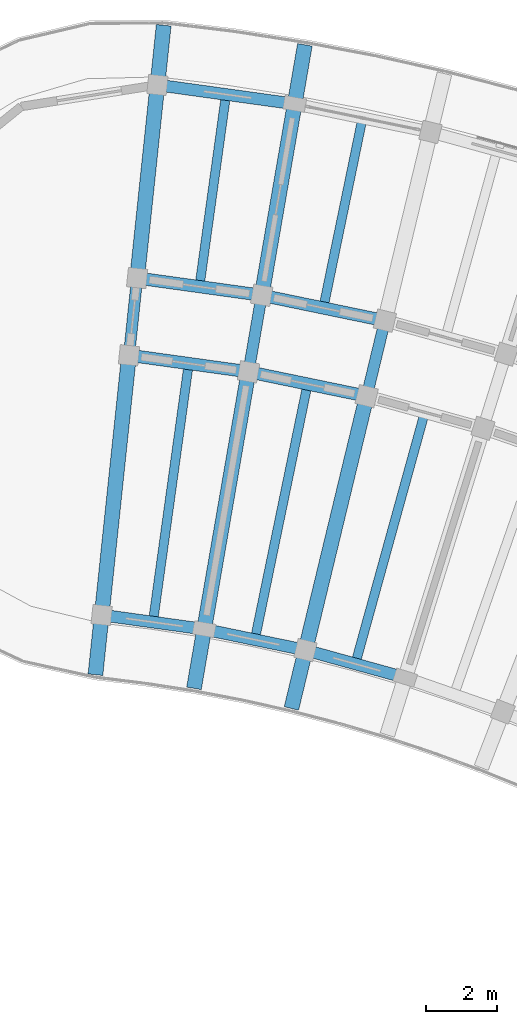
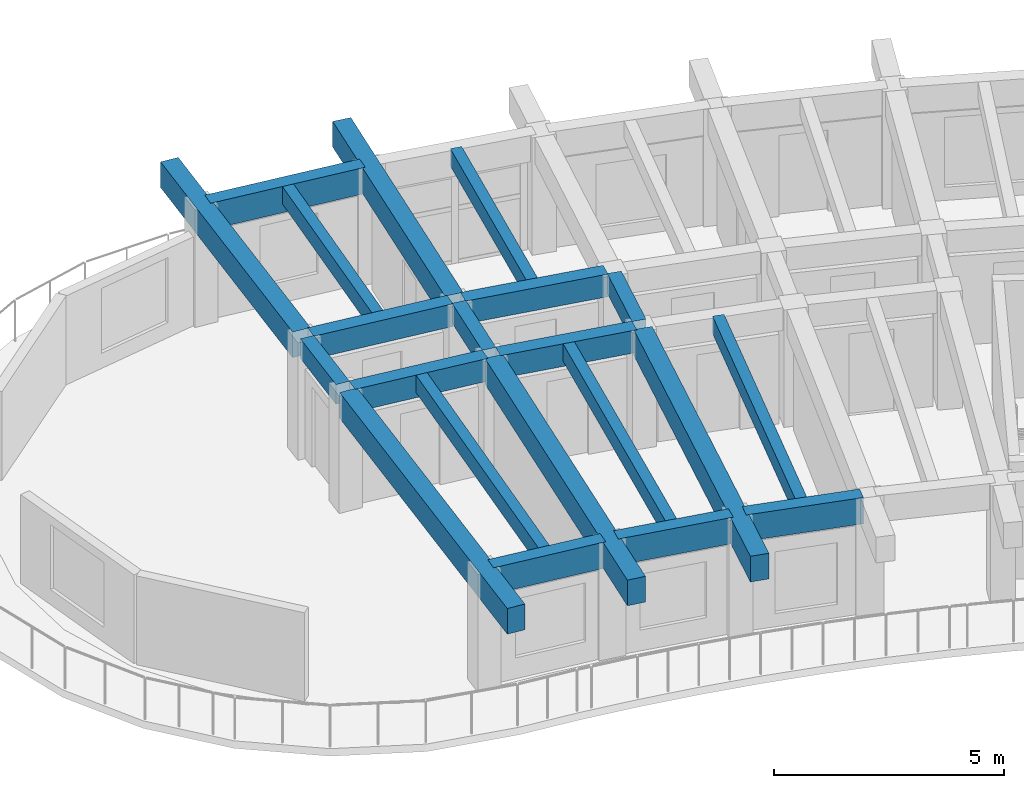
# One storey, part 16 of 81: 21 beams.
"""IFC4 building model written with IfcOpenShell, lengths in metres."""

from ifc_helpers import new_model, si_unit, direction, frame, origin, origin_2d, place, context, subcontext, project, spatial, rectangle, extrude, material, material_profile, profile_set, type_object, element, save


model = new_model("IFC4")

# Units and contexts
model_context = context("Model", 3, precision=1e-05, world=origin(), true_north=direction((0.0, 1.0)))
body_context = subcontext(model_context, "Body", "Model", "MODEL_VIEW")
ifc_project = project(units=[si_unit("LENGTHUNIT", "METRE"), si_unit("AREAUNIT", "SQUARE_METRE"), si_unit("VOLUMEUNIT", "CUBIC_METRE"), si_unit("PLANEANGLEUNIT", "RADIAN"), si_unit("MASSUNIT", "GRAM", prefix="KILO")], contexts=[model_context])

# Site, building, storey
site_placement = place(None, origin())
site = spatial("IfcSite", under=ifc_project, at=site_placement, CompositionType="ELEMENT")
building_placement = place(site_placement, origin())
building = spatial("IfcBuilding", under=site, at=building_placement, Name="Tanwirah Colonnade Gardens", CompositionType="ELEMENT")
storey_placement = place(building_placement, frame((0.0, 0.0, 18.919921875)))
storey = spatial("IfcBuildingStorey", under=building, at=storey_placement, Name="L05", CompositionType="ELEMENT", Elevation=18.919921875)

# Beams
ifc_material_1 = material(Name="Precast concrete C40/50", Category="concrete")
ifc_material_profile_1 = material_profile(ifc_material_1, rectangle(XDim=0.320068359375, YDim=0.52001953125, at=origin_2d()), Name="PC-BM 320x520")
ifc_profile_set_1 = profile_set([ifc_material_profile_1], Name="Precast concrete C40/50")
beam_type_1 = type_object("IfcBeamType", Name="BM-PC320", PredefinedType="BEAM", material=ifc_profile_set_1)
for number, where, z_axis, x_axis, name in (
    (1, (133.188232421875, 110.75146484375, 2.85009765625), (0.234364199778, 0.972148868159, 0.0), (-0.972148868159, 0.234364199778, 0.0), "Block B L05 Corridor Tie Beam 16"),
    (2, (129.8310546875, 111.444580078125, 2.85009765625), (0.169855285462, 0.985469016256, 0.0), (-0.985469016256, 0.169855285462, 0.0), "Block B L05 Corridor Tie Beam 17"),
    (3, (126.435546875, 111.9150390625, 2.85009765625), (0.104464057197, 0.994528662611, 0.0), (-0.994528662611, 0.104464057197, 0.0), "Block B L05 Corridor Tie Beam 18"),
):
    element("IfcBeam", number, at=place(storey_placement, frame(where, z_axis=z_axis, x_axis=x_axis)), inside=storey, type_object=beam_type_1, Name=name, PredefinedType="BEAM", context=body_context, shape_type="SweptSolid", body=[
        extrude(rectangle(XDim=0.320068359375, YDim=0.52001953125, at=origin_2d()), origin(), (0.0, 0.0, 1.0), 1.900146484375),
    ])
ifc_material_profile_2 = material_profile(ifc_material_1, rectangle(XDim=0.35009765625, YDim=0.60009765625, at=origin_2d()), Name="PC-BM 350x600")
ifc_profile_set_2 = profile_set([ifc_material_profile_2], Name="Precast concrete C40/50")
beam_type_2 = type_object("IfcBeamType", Name="BM-PC350B", PredefinedType="BEAM", material=ifc_profile_set_2)
beam_1_placement = place(storey_placement, frame((133.006103515625, 110.635986328125, 2.81005859375), z_axis=(-0.979335880607, 0.202240532428, 0.0), x_axis=(-0.202240532428, -0.979335880607, 0.0)))
element("IfcBeam", 4, at=beam_1_placement, inside=storey, type_object=beam_type_2, Name="Block B L05 Circumferential Beam 16-R1", PredefinedType="BEAM", context=body_context, shape_type="SweptSolid", body=[
    extrude(rectangle(XDim=0.35009765625, YDim=0.60009765625, at=origin_2d()), origin(), (0.0, 0.0, 1.0), 3.1181640625),
])
beam_2_placement = place(storey_placement, frame((133.521728515625, 112.774658203125, 2.81005859375), z_axis=(-0.979335599813, 0.202241892146, 0.0), x_axis=(-0.202241892146, -0.979335599813, 0.0)))
element("IfcBeam", 5, at=beam_2_placement, inside=storey, type_object=beam_type_2, Name="Block B L05 Circumferential Beam 16-R2", PredefinedType="BEAM", context=body_context, shape_type="SweptSolid", body=[
    extrude(rectangle(XDim=0.35009765625, YDim=0.60009765625, at=origin_2d()), origin(), (0.0, 0.0, 1.0), 3.262939453125),
])
beam_3_placement = place(storey_placement, frame((129.656982421875, 111.3173828125, 2.81005859375), z_axis=(-0.990535787723, 0.137254702069, 0.0), x_axis=(-0.137254702069, -0.990535787723, 0.0)))
element("IfcBeam", 6, at=beam_3_placement, inside=storey, type_object=beam_type_2, Name="Block B L05 Circumferential Beam 17-R1", PredefinedType="BEAM", context=body_context, shape_type="SweptSolid", body=[
    extrude(rectangle(XDim=0.35009765625, YDim=0.60009765625, at=origin_2d()), origin(), (0.0, 0.0, 1.0), 3.1181640625),
])
beam_4_placement = place(storey_placement, frame((130.030517578125, 113.4853515625, 2.81005859375), z_axis=(-0.990530465749, 0.13729310406, 0.0), x_axis=(-0.13729310406, -0.990530465749, 0.0)))
element("IfcBeam", 7, at=beam_4_placement, inside=storey, type_object=beam_type_2, Name="Block B L05 Circumferential Beam 17-R2", PredefinedType="BEAM", context=body_context, shape_type="SweptSolid", body=[
    extrude(rectangle(XDim=0.35009765625, YDim=0.60009765625, at=origin_2d()), origin(), (0.0, 0.0, 1.0), 3.26318359375),
])
ifc_material_2 = material(Name="Precast concrete C45/55", Category="concrete")
ifc_material_profile_3 = material_profile(ifc_material_2, rectangle(XDim=0.419921875, YDim=0.679931640625, at=origin_2d()), Name="PC-BM 420x680")
ifc_profile_set_3 = profile_set([ifc_material_profile_3], Name="Precast concrete C45/55")
beam_type_3 = type_object("IfcBeamType", Name="BM-PC420", PredefinedType="BEAM", material=ifc_profile_set_3)
for number, where, z_axis, x_axis, name in (
    (8, (133.117919921875, 110.459716796875, 2.77001953125), (-0.234401428133, -0.972139892448, 0.0), (0.972139892448, -0.234401428133, 0.0), "Block B L05 Inner Radial Precast Girder 16"),
    (9, (129.780029296875, 111.14892578125, 2.77001953125), (-0.169837490725, -0.985472083189, 0.0), (0.985472083189, -0.169837490725, 0.0), "Block B L05 Inner Radial Precast Girder 17"),
):
    element("IfcBeam", number, at=place(storey_placement, frame(where, z_axis=z_axis, x_axis=x_axis)), inside=storey, type_object=beam_type_3, Name=name, PredefinedType="BEAM", context=body_context, shape_type="SweptSolid", body=[
        extrude(rectangle(XDim=0.419921875, YDim=0.679931640625, at=origin_2d()), origin(), (0.0, 0.0, 1.0), 8.949951171875),
    ])
beam_5_placement = place(storey_placement, frame((130.20458984375, 113.61279296875, 2.77001953125), z_axis=(0.169826898404, 0.985473908624, 0.0), x_axis=(-0.985473908624, 0.169826898404, 0.0)))
element("IfcBeam", 10, at=beam_5_placement, inside=storey, type_object=beam_type_3, Name="Block B L05 Outer Radial Precast Girder 17", PredefinedType="BEAM", context=body_context, shape_type="SweptSolid", body=[
    extrude(rectangle(XDim=0.419921875, YDim=0.679931640625, at=origin_2d()), origin(), (0.0, 0.0, 1.0), 7.0498046875),
])
beam_6_placement = place(storey_placement, frame((126.404052734375, 111.61669921875, 2.77001953125), z_axis=(-0.104531425475, -0.994521584023, 0.0), x_axis=(0.994521584023, -0.104531425475, 0.0)))
element("IfcBeam", 11, at=beam_6_placement, inside=storey, type_object=beam_type_3, Name="Block B L05 Inner Radial Precast Girder 18", PredefinedType="BEAM", context=body_context, shape_type="SweptSolid", body=[
    extrude(rectangle(XDim=0.419921875, YDim=0.679931640625, at=origin_2d()), origin(), (0.0, 0.0, 1.0), 8.949951171875),
])
beam_7_placement = place(storey_placement, frame((126.66552734375, 114.10302734375, 2.77001953125), z_axis=(0.104511730475, 0.994523653913, 0.0), x_axis=(-0.994523653913, 0.104511730475, 0.0)))
element("IfcBeam", 12, at=beam_7_placement, inside=storey, type_object=beam_type_3, Name="Block B L05 Outer Radial Precast Girder 18", PredefinedType="BEAM", context=body_context, shape_type="SweptSolid", body=[
    extrude(rectangle(XDim=0.419921875, YDim=0.679931640625, at=origin_2d()), origin(), (0.0, 0.0, 1.0), 7.050048828125),
])
ifc_material_profile_4 = material_profile(ifc_material_1, rectangle(XDim=0.260009765625, YDim=0.4599609375, at=origin_2d()), Name="PC-JST 260x460")
ifc_profile_set_4 = profile_set([ifc_material_profile_4], Name="Precast concrete C40/50")
beam_type_4 = type_object("IfcBeamType", Name="JST-PC260", PredefinedType="JOIST", material=ifc_profile_set_4)
beam_8_placement = place(storey_placement, frame((132.869140625, 103.16064453125, 2.880126953125), z_axis=(0.266307034535, 0.963888252526, 0.0), x_axis=(-0.963888252526, 0.266307034535, 0.0)))
element("IfcBeam", 13, at=beam_8_placement, inside=storey, type_object=beam_type_4, Name="Block B L05 Inner Precast Floor Joist 15", PredefinedType="JOIST", context=body_context, shape_type="SweptSolid", body=[
    extrude(rectangle(XDim=0.260009765625, YDim=0.4599609375, at=origin_2d()), origin(), (0.0, 0.0, 1.0), 7.159912109375),
])
beam_9_placement = place(storey_placement, frame((131.9541015625, 113.2509765625, 2.880126953125), z_axis=(0.202235688429, 0.979336880918, 0.0), x_axis=(-0.979336880918, 0.202235688429, 0.0)))
element("IfcBeam", 14, at=beam_9_placement, inside=storey, type_object=beam_type_4, Name="Block B L05 Precast Floor Joist 16", PredefinedType="JOIST", context=body_context, shape_type="SweptSolid", body=[
    extrude(rectangle(XDim=0.260009765625, YDim=0.4599609375, at=origin_2d()), origin(), (0.0, 0.0, 1.0), 5.259765625),
])
beam_10_placement = place(storey_placement, frame((130.012939453125, 103.84912109375, 2.880126953125), z_axis=(0.202197428816, 0.979344780851, 0.0), x_axis=(-0.979344780851, 0.202197428816, 0.0)))
element("IfcBeam", 15, at=beam_10_placement, inside=storey, type_object=beam_type_4, Name="Block B L05 Inner Precast Floor Joist 16", PredefinedType="JOIST", context=body_context, shape_type="SweptSolid", body=[
    extrude(rectangle(XDim=0.260009765625, YDim=0.4599609375, at=origin_2d()), origin(), (0.0, 0.0, 1.0), 7.16015625),
])
beam_11_placement = place(storey_placement, frame((128.43505859375, 113.857421875, 2.880126953125), z_axis=(0.137248344923, 0.990536668587, 0.0), x_axis=(-0.990536668587, 0.137248344923, 0.0)))
element("IfcBeam", 16, at=beam_11_placement, inside=storey, type_object=beam_type_4, Name="Block B L05 Precast Floor Joist 17", PredefinedType="JOIST", context=body_context, shape_type="SweptSolid", body=[
    extrude(rectangle(XDim=0.260009765625, YDim=0.4599609375, at=origin_2d()), origin(), (0.0, 0.0, 1.0), 5.260009765625),
])
beam_12_placement = place(storey_placement, frame((127.117431640625, 104.34814453125, 2.880126953125), z_axis=(0.137243132462, 0.99053739081, 0.0), x_axis=(-0.99053739081, 0.137243132462, 0.0)))
element("IfcBeam", 17, at=beam_12_placement, inside=storey, type_object=beam_type_4, Name="Block B L05 Inner Precast Floor Joist 17", PredefinedType="JOIST", context=body_context, shape_type="SweptSolid", body=[
    extrude(rectangle(XDim=0.260009765625, YDim=0.4599609375, at=origin_2d()), origin(), (0.0, 0.0, 1.0), 7.16015625),
])
ifc_material_profile_5 = material_profile(ifc_material_1, rectangle(XDim=0.3349609375, YDim=0.695068359375, at=origin_2d()), Name="PC-SP 335x695")
ifc_profile_set_5 = profile_set([ifc_material_profile_5], Name="Precast concrete C40/50")
beam_type_5 = type_object("IfcBeamType", Name="SP-PC300", PredefinedType="SPANDREL", material=ifc_profile_set_5)
for number, where, z_axis, x_axis, name in (
    (18, (134.098388671875, 102.67138671875, 2.7626953125), (-0.96388669146, 0.266312684688, 0.0), (-0.266312684688, -0.96388669146, 0.0), "Block B L05 Circumferential Beam 15-R0"),
    (19, (131.271728515625, 103.442138671875, 2.7626953125), (-0.979351764611, 0.202163599974, 0.0), (-0.202163599974, -0.979351764611, 0.0), "Block B L05 Circumferential Beam 16-R0"),
    (20, (128.400146484375, 104.02490234375, 2.7626953125), (-0.990531232354, 0.13728757311, 0.0), (-0.13728757311, -0.990531232354, 0.0), "Block B L05 Circumferential Beam 17-R0"),
):
    element("IfcBeam", number, at=place(storey_placement, frame(where, z_axis=z_axis, x_axis=x_axis)), inside=storey, type_object=beam_type_5, Name=name, PredefinedType="SPANDREL", context=body_context, shape_type="SweptSolid", body=[
        extrude(rectangle(XDim=0.3349609375, YDim=0.695068359375, at=origin_2d()), origin(), (0.0, 0.0, 1.0), 2.630126953125),
    ])
beam_13_placement = place(storey_placement, frame((130.964599609375, 118.905517578125, 2.7626953125), z_axis=(-0.990538603978, 0.137234376268, 0.0), x_axis=(-0.137234376268, -0.990538603978, 0.0)))
element("IfcBeam", 21, at=beam_13_placement, inside=storey, type_object=beam_type_5, Name="Block B L05 Circumferential Beam 17-R3", PredefinedType="SPANDREL", context=body_context, shape_type="SweptSolid", body=[
    extrude(rectangle(XDim=0.3349609375, YDim=0.695068359375, at=origin_2d()), origin(), (0.0, 0.0, 1.0), 3.625732421875),
])

save(model, "model.ifc")
